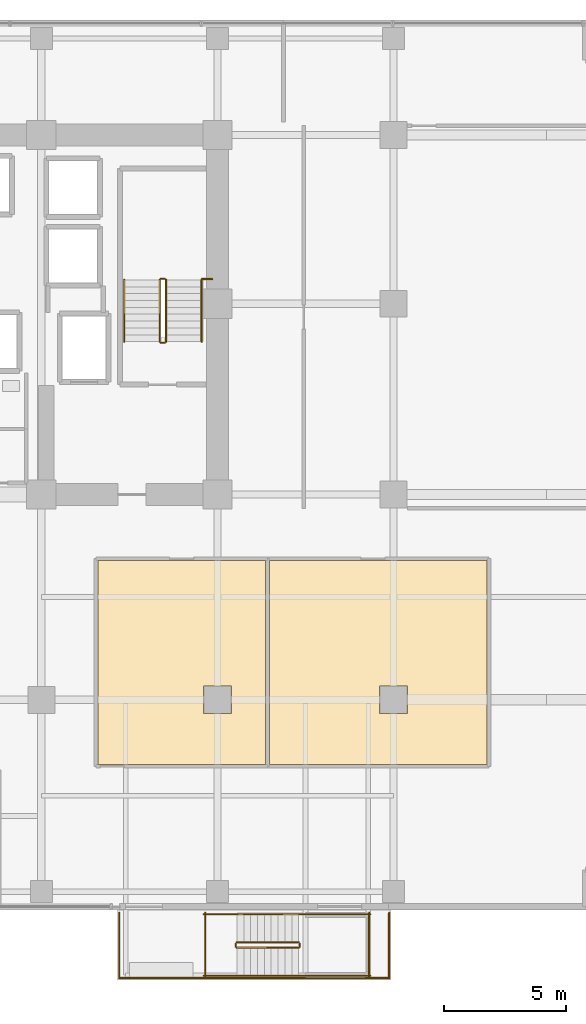
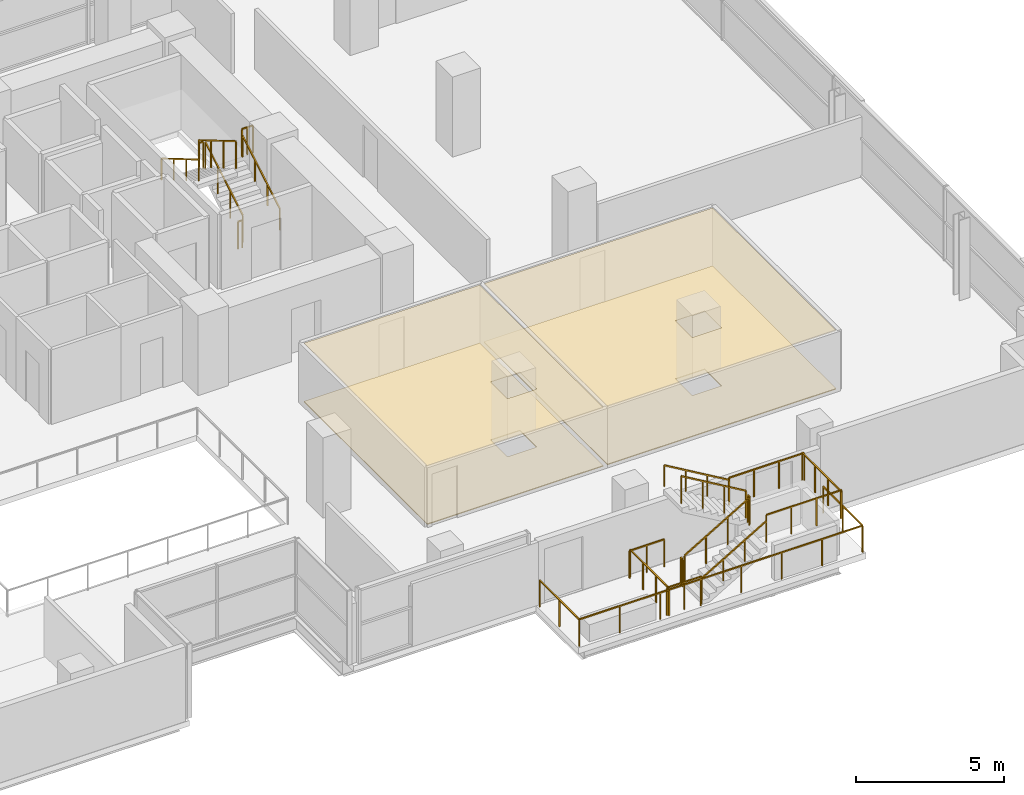
# One storey, part 30 of 31: 20 railings, 4 coverings.
"""IFC4 building model written with IfcOpenShell, lengths in metres."""

from ifc_helpers import new_model, si_unit, direction, frame, origin, origin_2d, place, context, subcontext, project, spatial, polyline, rectangle, outline, extrude, material, layer, layer_set, type_object, element, save


model = new_model("IFC4")

# Units and contexts
model_context = context("Model", 3, precision=1e-05, world=origin(), true_north=direction((0.0, 1.0)))
body_context = subcontext(model_context, "Body", "Model", "MODEL_VIEW")
ifc_project = project(units=[si_unit("LENGTHUNIT", "METRE"), si_unit("AREAUNIT", "SQUARE_METRE"), si_unit("VOLUMEUNIT", "CUBIC_METRE"), si_unit("PLANEANGLEUNIT", "RADIAN"), si_unit("MASSUNIT", "GRAM", prefix="KILO")], contexts=[model_context])

# Site, building, storey
site_placement = place(None, origin())
site = spatial("IfcSite", under=ifc_project, at=site_placement, CompositionType="ELEMENT")
building_placement = place(site_placement, origin())
building = spatial("IfcBuilding", under=site, at=building_placement, Name="Zarnakvel Exchange Tower", CompositionType="ELEMENT")
storey_placement = place(building_placement, frame((0.0, 0.0, 53.800048828125)))
storey = spatial("IfcBuildingStorey", under=building, at=storey_placement, Name="L14", CompositionType="ELEMENT", Elevation=53.800048828125)

# Coverings
ifc_material_1 = material(Name="Perforated Bronze Acoustic Metal Ceiling", Category="aluminium")
ifc_layer_1 = layer(ifc_material_1, 0.02001953125)
ifc_layer_set_1 = layer_set([ifc_layer_1], Name="Perforated Bronze Acoustic Metal Ceiling")
covering_type_1 = type_object("IfcCoveringType", Name="CLG-01", PredefinedType="CEILING", material=ifc_layer_set_1)
covering_1_placement = place(storey_placement, frame((0.0, 0.0, 2.405029296875)))
element("IfcCovering", 1, at=covering_1_placement, inside=storey, type_object=covering_type_1, Name="L14 Suspended Acoustic Ceiling (Seminar Room)", PredefinedType="CEILING", context=body_context, shape_type="SweptSolid", body=[
    extrude(outline(polyline([(9.510009765625, -3.909912109375), (16.364501953125, -3.909912109375), (16.364501953125, -12.239990234375), (9.510009765625, -12.239990234375), (9.510009765625, -3.909912109375)]), holes=[polyline([(13.830078125, -10.169921875), (14.969970703125, -10.169921875), (14.969970703125, -9.030029296875), (13.830078125, -9.030029296875), (13.830078125, -10.169921875)])]), origin(), (0.0, 0.0, 1.0), 0.02001953125),
])
covering_2_placement = place(storey_placement, frame((0.0, 0.0, 2.405029296875)))
element("IfcCovering", 2, at=covering_2_placement, inside=storey, type_object=covering_type_1, Name="L14 Suspended Acoustic Ceiling (Boardroom)", PredefinedType="CEILING", context=body_context, shape_type="SweptSolid", body=[
    extrude(outline(polyline([(16.5244140625, -3.909912109375), (25.435302734375, -3.909912109375), (25.435302734375, -12.239990234375), (16.5244140625, -12.239990234375), (16.5244140625, -3.909912109375)]), holes=[polyline([(22.169921875, -10.169921875), (22.169921875, -9.030029296875), (21.030029296875, -9.030029296875), (21.030029296875, -10.169921875), (22.169921875, -10.169921875)])]), origin(), (0.0, 0.0, 1.0), 0.02001953125),
])
ifc_material_2 = material(Name="Heavy-Duty Raised Access Floor Panel", Category="steel")
ifc_layer_2 = layer(ifc_material_2, 0.034912109375)
ifc_layer_set_2 = layer_set([ifc_layer_2], Name="Heavy-Duty Raised Access Floor Panel")
covering_type_2 = type_object("IfcCoveringType", Name="FLR-02", PredefinedType="FLOORING", material=ifc_layer_set_2)
covering_3_placement = place(storey_placement, origin())
element("IfcCovering", 3, at=covering_3_placement, inside=storey, type_object=covering_type_2, Name="L14 Floor Finish (Seminar Room)", PredefinedType="FLOORING", context=body_context, shape_type="SweptSolid", body=[
    extrude(outline(polyline([(9.510009765625, -3.909912109375), (16.364501953125, -3.909912109375), (16.364501953125, -12.239990234375), (9.510009765625, -12.239990234375), (9.510009765625, -3.909912109375)]), holes=[polyline([(13.830078125, -10.169921875), (14.969970703125, -10.169921875), (14.969970703125, -9.030029296875), (13.830078125, -9.030029296875), (13.830078125, -10.169921875)])]), origin(), (0.0, 0.0, 1.0), 0.034912109375),
])
covering_4_placement = place(storey_placement, origin())
element("IfcCovering", 4, at=covering_4_placement, inside=storey, type_object=covering_type_2, Name="L14 Floor Finish (Boardroom)", PredefinedType="FLOORING", context=body_context, shape_type="SweptSolid", body=[
    extrude(outline(polyline([(16.5244140625, -3.909912109375), (25.435302734375, -3.909912109375), (25.435302734375, -12.239990234375), (16.5244140625, -12.239990234375), (16.5244140625, -3.909912109375)]), holes=[polyline([(22.169921875, -10.169921875), (22.169921875, -9.030029296875), (21.030029296875, -9.030029296875), (21.030029296875, -10.169921875), (22.169921875, -10.169921875)])]), origin(), (0.0, 0.0, 1.0), 0.034912109375),
])

# Railings
ifc_material_3 = material(Name="Architectural Bronze Anodised Aluminium", Category="aluminium")
railing_type_1 = type_object("IfcRailingType", Name="GR-02", PredefinedType="GUARDRAIL", material=ifc_material_3)
railing_1_placement = place(storey_placement, frame((10.3798828125, -18.320068359375, 0.0)))
element("IfcRailing", 5, at=railing_1_placement, inside=storey, type_object=railing_type_1, Name="L14 Spiral Sky-Terrace Perimeter Guardrail", PredefinedType="GUARDRAIL", context=body_context, shape_type="SweptSolid", body=[
    extrude(rectangle(XDim=0.048095703125, YDim=0.048095703125, at=origin_2d()), frame((0.0, 0.0, 1.09619140625), z_axis=(0.0, -1.0, 0.0), x_axis=(1.0, 0.0, 0.0)), (0.0, 0.0, 1.0), 2.659912109375),
    extrude(rectangle(XDim=0.048095703125, YDim=0.048095703125, at=origin_2d()), frame((0.0, -2.659912109375, 1.09619140625), z_axis=(1.0, 0.0, 0.0), x_axis=(0.0, 1.0, 0.0)), (0.0, 0.0, 1.0), 11.0400390625),
    extrude(rectangle(XDim=0.048095703125, YDim=0.048095703125, at=origin_2d()), frame((11.0400390625, -2.659912109375, 1.09619140625), z_axis=(0.0, 1.0, 0.0), x_axis=(-1.0, 0.0, 0.0)), (0.0, 0.0, 1.0), 2.659912109375),
    extrude(rectangle(XDim=0.0419921875, YDim=0.0419921875, at=origin_2d()), origin(), (0.0, 0.0, 1.0), 1.072021484375),
    extrude(rectangle(XDim=0.0419921875, YDim=0.0419921875, at=origin_2d()), frame((0.0, -1.330078125, 0.0)), (0.0, 0.0, 1.0), 1.072021484375),
    extrude(rectangle(XDim=0.0419921875, YDim=0.0419921875, at=origin_2d()), frame((0.0, -2.659912109375, 0.0)), (0.0, 0.0, 1.0), 1.072021484375),
    extrude(rectangle(XDim=0.0419921875, YDim=0.0419921875, at=origin_2d()), frame((1.5771484375, -2.659912109375, 0.0)), (0.0, 0.0, 1.0), 1.072021484375),
    extrude(rectangle(XDim=0.0419921875, YDim=0.0419921875, at=origin_2d()), frame((3.154296875, -2.659912109375, 0.0)), (0.0, 0.0, 1.0), 1.072021484375),
    extrude(rectangle(XDim=0.0419921875, YDim=0.0419921875, at=origin_2d()), frame((4.7314453125, -2.659912109375, 0.0)), (0.0, 0.0, 1.0), 1.072021484375),
    extrude(rectangle(XDim=0.0419921875, YDim=0.0419921875, at=origin_2d()), frame((6.30859375, -2.659912109375, 0.0)), (0.0, 0.0, 1.0), 1.072021484375),
    extrude(rectangle(XDim=0.0419921875, YDim=0.0419921875, at=origin_2d()), frame((7.8857421875, -2.659912109375, 0.0)), (0.0, 0.0, 1.0), 1.072021484375),
    extrude(rectangle(XDim=0.0419921875, YDim=0.0419921875, at=origin_2d()), frame((9.462890625, -2.659912109375, 0.0)), (0.0, 0.0, 1.0), 1.072021484375),
    extrude(rectangle(XDim=0.0419921875, YDim=0.0419921875, at=origin_2d()), frame((11.0400390625, -2.659912109375, 0.0)), (0.0, 0.0, 1.0), 1.072021484375),
    extrude(rectangle(XDim=0.0419921875, YDim=0.0419921875, at=origin_2d()), frame((11.0400390625, -1.330078125, 0.0)), (0.0, 0.0, 1.0), 1.072021484375),
    extrude(rectangle(XDim=0.0419921875, YDim=0.0419921875, at=origin_2d()), frame((11.0400390625, 0.0, 0.0)), (0.0, 0.0, 1.0), 1.072021484375),
])
ifc_material_4 = material(Name="Brushed Stainless Steel", Category="steel")
railing_type_2 = type_object("IfcRailingType", Name="HR-01", PredefinedType="HANDRAIL", material=ifc_material_4)
railing_2_placement = place(storey_placement, frame((13.75, 5.050048828125, 0.1650390625)))
element("IfcRailing", 6, at=railing_2_placement, inside=storey, type_object=railing_type_2, Name="L14 ST-02 stair handrail 1", PredefinedType="HANDRAIL", context=body_context, shape_type="SweptSolid", body=[
    extrude(rectangle(XDim=0.048095703125, YDim=0.048095703125, at=origin_2d()), frame((0.0, 0.0, 0.8759765625), z_axis=(0.0, 0.861560626758, 0.507654692109), x_axis=(-1.0, 0.0, 0.0)), (0.0, 0.0, 1.0), 2.925048828125),
    extrude(rectangle(XDim=0.0419921875, YDim=0.0419921875, at=origin_2d()), origin(), (0.0, 0.0, 1.0), 0.851806640625),
    extrude(rectangle(XDim=0.0419921875, YDim=0.0419921875, at=origin_2d()), frame((0.0, 0.840087890625, 0.494873046875)), (0.0, 0.0, 1.0), 0.851806640625),
    extrude(rectangle(XDim=0.0419921875, YDim=0.0419921875, at=origin_2d()), frame((0.0, 1.679931640625, 0.989990234375)), (0.0, 0.0, 1.0), 0.851806640625),
    extrude(rectangle(XDim=0.0419921875, YDim=0.0419921875, at=origin_2d()), frame((0.0, 2.52001953125, 1.48486328125)), (0.0, 0.0, 1.0), 0.851806640625),
])
railing_3_placement = place(storey_placement, frame((10.590087890625, 7.570068359375, 1.81494140625)))
element("IfcRailing", 7, at=railing_3_placement, inside=storey, type_object=railing_type_2, Name="L14 ST-02 stair handrail 2", PredefinedType="HANDRAIL", context=body_context, shape_type="SweptSolid", body=[
    extrude(rectangle(XDim=0.048095703125, YDim=0.048095703125, at=origin_2d()), frame((0.0, 0.0, 0.8759765625), z_axis=(0.0, -0.86152411907, 0.507716645641), x_axis=(1.0, 0.0, 0.0)), (0.0, 0.0, 1.0), 2.925048828125),
    extrude(rectangle(XDim=0.0419921875, YDim=0.0419921875, at=origin_2d()), origin(), (0.0, 0.0, 1.0), 0.851806640625),
    extrude(rectangle(XDim=0.0419921875, YDim=0.0419921875, at=origin_2d()), frame((0.0, -0.840087890625, 0.4951171875)), (0.0, 0.0, 1.0), 0.851806640625),
    extrude(rectangle(XDim=0.0419921875, YDim=0.0419921875, at=origin_2d()), frame((0.0, -1.679931640625, 0.989990234375)), (0.0, 0.0, 1.0), 0.851806640625),
    extrude(rectangle(XDim=0.0419921875, YDim=0.0419921875, at=origin_2d()), frame((0.0, -2.52001953125, 1.485107421875)), (0.0, 0.0, 1.0), 0.851806640625),
])
railing_4_placement = place(storey_placement, frame((15.199951171875, -20.889892578125, 0.1650390625)))
element("IfcRailing", 8, at=railing_4_placement, inside=storey, type_object=railing_type_2, Name="L14 ST-08 stair handrail 1", PredefinedType="HANDRAIL", context=body_context, shape_type="SweptSolid", body=[
    extrude(rectangle(XDim=0.048095703125, YDim=0.048095703125, at=origin_2d()), frame((0.0, 0.0, 0.8759765625), z_axis=(0.861560626758, 0.0, 0.507654692109), x_axis=(0.0, 1.0, 0.0)), (0.0, 0.0, 1.0), 2.925048828125),
    extrude(rectangle(XDim=0.0419921875, YDim=0.0419921875, at=origin_2d()), origin(), (0.0, 0.0, 1.0), 0.851806640625),
    extrude(rectangle(XDim=0.0419921875, YDim=0.0419921875, at=origin_2d()), frame((0.840087890625, 0.0, 0.494873046875)), (0.0, 0.0, 1.0), 0.851806640625),
    extrude(rectangle(XDim=0.0419921875, YDim=0.0419921875, at=origin_2d()), frame((1.679931640625, 0.0, 0.989990234375)), (0.0, 0.0, 1.0), 0.851806640625),
    extrude(rectangle(XDim=0.0419921875, YDim=0.0419921875, at=origin_2d()), frame((2.52001953125, 0.0, 1.48486328125)), (0.0, 0.0, 1.0), 0.851806640625),
])
railing_5_placement = place(storey_placement, frame((17.719970703125, -18.3701171875, 1.81494140625)))
element("IfcRailing", 9, at=railing_5_placement, inside=storey, type_object=railing_type_2, Name="L14 ST-08 stair handrail 2", PredefinedType="HANDRAIL", context=body_context, shape_type="SweptSolid", body=[
    extrude(rectangle(XDim=0.048095703125, YDim=0.048095703125, at=origin_2d()), frame((0.0, 0.0, 0.8759765625), z_axis=(-0.86152411907, 0.0, 0.507716645641), x_axis=(0.0, -1.0, 0.0)), (0.0, 0.0, 1.0), 2.925048828125),
    extrude(rectangle(XDim=0.0419921875, YDim=0.0419921875, at=origin_2d()), origin(), (0.0, 0.0, 1.0), 0.851806640625),
    extrude(rectangle(XDim=0.0419921875, YDim=0.0419921875, at=origin_2d()), frame((-0.840087890625, 0.0, 0.4951171875)), (0.0, 0.0, 1.0), 0.851806640625),
    extrude(rectangle(XDim=0.0419921875, YDim=0.0419921875, at=origin_2d()), frame((-1.679931640625, 0.0, 0.989990234375)), (0.0, 0.0, 1.0), 0.851806640625),
    extrude(rectangle(XDim=0.0419921875, YDim=0.0419921875, at=origin_2d()), frame((-2.52001953125, 0.0, 1.485107421875)), (0.0, 0.0, 1.0), 0.851806640625),
])
railing_type_3 = type_object("IfcRailingType", Name="SG-01", PredefinedType="GUARDRAIL", material=ifc_material_3)
railing_6_placement = place(storey_placement, frame((12.300048828125, 5.050048828125, 0.1650390625)))
element("IfcRailing", 10, at=railing_6_placement, inside=storey, type_object=railing_type_3, Name="L14 ST-02 stair guard 1", PredefinedType="GUARDRAIL", context=body_context, shape_type="SweptSolid", body=[
    extrude(rectangle(XDim=0.048095703125, YDim=0.048095703125, at=origin_2d()), frame((0.0, 0.0, 1.1259765625), z_axis=(0.0, 0.861560626758, 0.507654692109), x_axis=(-1.0, 0.0, 0.0)), (0.0, 0.0, 1.0), 2.925048828125),
    extrude(rectangle(XDim=0.0419921875, YDim=0.0419921875, at=origin_2d()), origin(), (0.0, 0.0, 1.0), 1.101806640625),
    extrude(rectangle(XDim=0.0419921875, YDim=0.0419921875, at=origin_2d()), frame((0.0, 0.840087890625, 0.494873046875)), (0.0, 0.0, 1.0), 1.101806640625),
    extrude(rectangle(XDim=0.0419921875, YDim=0.0419921875, at=origin_2d()), frame((0.0, 1.679931640625, 0.989990234375)), (0.0, 0.0, 1.0), 1.101806640625),
    extrude(rectangle(XDim=0.0419921875, YDim=0.0419921875, at=origin_2d()), frame((0.0, 2.52001953125, 1.48486328125)), (0.0, 0.0, 1.0), 1.101806640625),
])
railing_7_placement = place(storey_placement, frame((12.25, 7.6201171875, 1.64990234375)))
element("IfcRailing", 11, at=railing_7_placement, inside=storey, type_object=railing_type_3, Name="L14 ST-02 stair guard 2", PredefinedType="GUARDRAIL", context=body_context, shape_type="SweptSolid", body=[
    extrude(rectangle(XDim=0.048095703125, YDim=0.048095703125, at=origin_2d()), frame((0.0, 0.0, 1.1259765625), z_axis=(-1.0, 0.0, 0.0), x_axis=(0.0, -1.0, 0.0)), (0.0, 0.0, 1.0), 0.159912109375),
    extrude(rectangle(XDim=0.0419921875, YDim=0.0419921875, at=origin_2d()), origin(), (0.0, 0.0, 1.0), 1.101806640625),
    extrude(rectangle(XDim=0.0419921875, YDim=0.0419921875, at=origin_2d()), frame((-0.159912109375, 0.0, 0.0)), (0.0, 0.0, 1.0), 1.101806640625),
])
railing_8_placement = place(storey_placement, frame((12.0400390625, 7.570068359375, 1.81494140625)))
element("IfcRailing", 12, at=railing_8_placement, inside=storey, type_object=railing_type_3, Name="L14 ST-02 stair guard 3", PredefinedType="GUARDRAIL", context=body_context, shape_type="SweptSolid", body=[
    extrude(rectangle(XDim=0.048095703125, YDim=0.048095703125, at=origin_2d()), frame((0.0, 0.0, 1.1259765625), z_axis=(0.0, -0.86152411907, 0.507716645641), x_axis=(1.0, 0.0, 0.0)), (0.0, 0.0, 1.0), 2.925048828125),
    extrude(rectangle(XDim=0.0419921875, YDim=0.0419921875, at=origin_2d()), origin(), (0.0, 0.0, 1.0), 1.101806640625),
    extrude(rectangle(XDim=0.0419921875, YDim=0.0419921875, at=origin_2d()), frame((0.0, -0.840087890625, 0.4951171875)), (0.0, 0.0, 1.0), 1.101806640625),
    extrude(rectangle(XDim=0.0419921875, YDim=0.0419921875, at=origin_2d()), frame((0.0, -1.679931640625, 0.989990234375)), (0.0, 0.0, 1.0), 1.101806640625),
    extrude(rectangle(XDim=0.0419921875, YDim=0.0419921875, at=origin_2d()), frame((0.0, -2.52001953125, 1.485107421875)), (0.0, 0.0, 1.0), 1.101806640625),
])
railing_9_placement = place(storey_placement, frame((12.25, 5.0, 0.0)))
element("IfcRailing", 13, at=railing_9_placement, inside=storey, type_object=railing_type_3, Name="L14 ST-02 stair guard 4", PredefinedType="GUARDRAIL", context=body_context, shape_type="SweptSolid", body=[
    extrude(rectangle(XDim=0.048095703125, YDim=0.048095703125, at=origin_2d()), frame((0.0, 0.0, 1.1259765625), z_axis=(-1.0, 0.0, 0.0), x_axis=(0.0, -1.0, 0.0)), (0.0, 0.0, 1.0), 0.159912109375),
    extrude(rectangle(XDim=0.0419921875, YDim=0.0419921875, at=origin_2d()), origin(), (0.0, 0.0, 1.0), 1.101806640625),
    extrude(rectangle(XDim=0.0419921875, YDim=0.0419921875, at=origin_2d()), frame((-0.159912109375, 0.0, 0.0)), (0.0, 0.0, 1.0), 1.101806640625),
])
railing_10_placement = place(storey_placement, frame((13.75, 7.610107421875, 1.64990234375)))
element("IfcRailing", 14, at=railing_10_placement, inside=storey, type_object=railing_type_3, Name="L14 ST-02 Landing Slot Guardrail", PredefinedType="GUARDRAIL", context=body_context, shape_type="SweptSolid", body=[
    extrude(rectangle(XDim=0.048095703125, YDim=0.048095703125, at=origin_2d()), frame((0.0, 0.0, 1.1259765625), z_axis=(1.0, 0.0, 0.0), x_axis=(0.0, 1.0, 0.0)), (0.0, 0.0, 1.0), 0.429931640625),
    extrude(rectangle(XDim=0.0419921875, YDim=0.0419921875, at=origin_2d()), origin(), (0.0, 0.0, 1.0), 1.101806640625),
    extrude(rectangle(XDim=0.0419921875, YDim=0.0419921875, at=origin_2d()), frame((0.21484375, 0.0, 0.0)), (0.0, 0.0, 1.0), 1.101806640625),
    extrude(rectangle(XDim=0.0419921875, YDim=0.0419921875, at=origin_2d()), frame((0.429931640625, 0.0, 0.0)), (0.0, 0.0, 1.0), 1.101806640625),
])
railing_11_placement = place(storey_placement, frame((15.199951171875, -19.739990234375, 0.1650390625)))
element("IfcRailing", 15, at=railing_11_placement, inside=storey, type_object=railing_type_3, Name="L14 ST-08 stair guard 1", PredefinedType="GUARDRAIL", context=body_context, shape_type="SweptSolid", body=[
    extrude(rectangle(XDim=0.048095703125, YDim=0.048095703125, at=origin_2d()), frame((0.0, 0.0, 1.1259765625), z_axis=(0.861560626758, 0.0, 0.507654692109), x_axis=(0.0, 1.0, 0.0)), (0.0, 0.0, 1.0), 2.925048828125),
    extrude(rectangle(XDim=0.0419921875, YDim=0.0419921875, at=origin_2d()), origin(), (0.0, 0.0, 1.0), 1.101806640625),
    extrude(rectangle(XDim=0.0419921875, YDim=0.0419921875, at=origin_2d()), frame((0.840087890625, 0.0, 0.494873046875)), (0.0, 0.0, 1.0), 1.101806640625),
    extrude(rectangle(XDim=0.0419921875, YDim=0.0419921875, at=origin_2d()), frame((1.679931640625, 0.0, 0.989990234375)), (0.0, 0.0, 1.0), 1.101806640625),
    extrude(rectangle(XDim=0.0419921875, YDim=0.0419921875, at=origin_2d()), frame((2.52001953125, 0.0, 1.48486328125)), (0.0, 0.0, 1.0), 1.101806640625),
])
railing_12_placement = place(storey_placement, frame((17.77001953125, -19.68994140625, 1.64990234375)))
element("IfcRailing", 16, at=railing_12_placement, inside=storey, type_object=railing_type_3, Name="L14 ST-08 stair guard 2", PredefinedType="GUARDRAIL", context=body_context, shape_type="SweptSolid", body=[
    extrude(rectangle(XDim=0.048095703125, YDim=0.048095703125, at=origin_2d()), frame((0.0, 0.0, 1.1259765625), z_axis=(0.0, 1.0, 0.0), x_axis=(-1.0, 0.0, 0.0)), (0.0, 0.0, 1.0), 0.119873046875),
    extrude(rectangle(XDim=0.0419921875, YDim=0.0419921875, at=origin_2d()), origin(), (0.0, 0.0, 1.0), 1.101806640625),
    extrude(rectangle(XDim=0.0419921875, YDim=0.0419921875, at=origin_2d()), frame((0.0, 0.119873046875, 0.0)), (0.0, 0.0, 1.0), 1.101806640625),
])
for number, where, name in (
    (17, (17.719970703125, -20.889892578125, 1.64990234375), "L14 ST-08 stair guard 3"),
    (18, (17.719970703125, -18.3701171875, 1.64990234375), "L14 ST-08 stair guard 4"),
):
    element("IfcRailing", number, at=place(storey_placement, frame(where)), inside=storey, type_object=railing_type_3, Name=name, PredefinedType="GUARDRAIL", context=body_context, shape_type="SweptSolid", body=[
        extrude(rectangle(XDim=0.048095703125, YDim=0.048095703125, at=origin_2d()), frame((0.0, 0.0, 1.1259765625), z_axis=(1.0, 0.0, 0.0), x_axis=(0.0, 1.0, 0.0)), (0.0, 0.0, 1.0), 2.929931640625),
        extrude(rectangle(XDim=0.0419921875, YDim=0.0419921875, at=origin_2d()), origin(), (0.0, 0.0, 1.0), 1.101806640625),
        extrude(rectangle(XDim=0.0419921875, YDim=0.0419921875, at=origin_2d()), frame((0.9765625, 0.0, 0.0)), (0.0, 0.0, 1.0), 1.101806640625),
        extrude(rectangle(XDim=0.0419921875, YDim=0.0419921875, at=origin_2d()), frame((1.953369140625, 0.0, 0.0)), (0.0, 0.0, 1.0), 1.101806640625),
        extrude(rectangle(XDim=0.0419921875, YDim=0.0419921875, at=origin_2d()), frame((2.929931640625, 0.0, 0.0)), (0.0, 0.0, 1.0), 1.101806640625),
    ])
railing_13_placement = place(storey_placement, frame((20.60009765625, -20.93994140625, 1.64990234375)))
element("IfcRailing", 19, at=railing_13_placement, inside=storey, type_object=railing_type_3, Name="L14 ST-08 stair guard 5", PredefinedType="GUARDRAIL", context=body_context, shape_type="SweptSolid", body=[
    extrude(rectangle(XDim=0.048095703125, YDim=0.048095703125, at=origin_2d()), frame((0.0, 0.0, 1.1259765625), z_axis=(0.0, 1.0, 0.0), x_axis=(-1.0, 0.0, 0.0)), (0.0, 0.0, 1.0), 2.619873046875),
    extrude(rectangle(XDim=0.0419921875, YDim=0.0419921875, at=origin_2d()), origin(), (0.0, 0.0, 1.0), 1.101806640625),
    extrude(rectangle(XDim=0.0419921875, YDim=0.0419921875, at=origin_2d()), frame((0.0, 0.873291015625, 0.0)), (0.0, 0.0, 1.0), 1.101806640625),
    extrude(rectangle(XDim=0.0419921875, YDim=0.0419921875, at=origin_2d()), frame((0.0, 1.74658203125, 0.0)), (0.0, 0.0, 1.0), 1.101806640625),
    extrude(rectangle(XDim=0.0419921875, YDim=0.0419921875, at=origin_2d()), frame((0.0, 2.619873046875, 0.0)), (0.0, 0.0, 1.0), 1.101806640625),
])
railing_14_placement = place(storey_placement, frame((17.719970703125, -19.52001953125, 1.81494140625)))
element("IfcRailing", 20, at=railing_14_placement, inside=storey, type_object=railing_type_3, Name="L14 ST-08 stair guard 6", PredefinedType="GUARDRAIL", context=body_context, shape_type="SweptSolid", body=[
    extrude(rectangle(XDim=0.048095703125, YDim=0.048095703125, at=origin_2d()), frame((0.0, 0.0, 1.1259765625), z_axis=(-0.86152411907, 0.0, 0.507716645641), x_axis=(0.0, -1.0, 0.0)), (0.0, 0.0, 1.0), 2.925048828125),
    extrude(rectangle(XDim=0.0419921875, YDim=0.0419921875, at=origin_2d()), origin(), (0.0, 0.0, 1.0), 1.101806640625),
    extrude(rectangle(XDim=0.0419921875, YDim=0.0419921875, at=origin_2d()), frame((-0.840087890625, 0.0, 0.4951171875)), (0.0, 0.0, 1.0), 1.101806640625),
    extrude(rectangle(XDim=0.0419921875, YDim=0.0419921875, at=origin_2d()), frame((-1.679931640625, 0.0, 0.989990234375)), (0.0, 0.0, 1.0), 1.101806640625),
    extrude(rectangle(XDim=0.0419921875, YDim=0.0419921875, at=origin_2d()), frame((-2.52001953125, 0.0, 1.485107421875)), (0.0, 0.0, 1.0), 1.101806640625),
])
railing_15_placement = place(storey_placement, frame((15.14990234375, -19.68994140625, 0.0)))
element("IfcRailing", 21, at=railing_15_placement, inside=storey, type_object=railing_type_3, Name="L14 ST-08 stair guard 7", PredefinedType="GUARDRAIL", context=body_context, shape_type="SweptSolid", body=[
    extrude(rectangle(XDim=0.048095703125, YDim=0.048095703125, at=origin_2d()), frame((0.0, 0.0, 1.1259765625), z_axis=(0.0, 1.0, 0.0), x_axis=(-1.0, 0.0, 0.0)), (0.0, 0.0, 1.0), 0.119873046875),
    extrude(rectangle(XDim=0.0419921875, YDim=0.0419921875, at=origin_2d()), origin(), (0.0, 0.0, 1.0), 1.101806640625),
    extrude(rectangle(XDim=0.0419921875, YDim=0.0419921875, at=origin_2d()), frame((0.0, 0.119873046875, 0.0)), (0.0, 0.0, 1.0), 1.101806640625),
])
for number, where, name in (
    (22, (13.85009765625, -20.889892578125, 0.0), "L14 ST-08 stair guard 8"),
    (23, (13.85009765625, -18.3701171875, 0.0), "L14 ST-08 stair guard 9"),
):
    element("IfcRailing", number, at=place(storey_placement, frame(where)), inside=storey, type_object=railing_type_3, Name=name, PredefinedType="GUARDRAIL", context=body_context, shape_type="SweptSolid", body=[
        extrude(rectangle(XDim=0.048095703125, YDim=0.048095703125, at=origin_2d()), frame((0.0, 0.0, 1.1259765625), z_axis=(1.0, 0.0, 0.0), x_axis=(0.0, 1.0, 0.0)), (0.0, 0.0, 1.0), 1.349853515625),
        extrude(rectangle(XDim=0.0419921875, YDim=0.0419921875, at=origin_2d()), origin(), (0.0, 0.0, 1.0), 1.101806640625),
        extrude(rectangle(XDim=0.0419921875, YDim=0.0419921875, at=origin_2d()), frame((0.6748046875, 0.0, 0.0)), (0.0, 0.0, 1.0), 1.101806640625),
        extrude(rectangle(XDim=0.0419921875, YDim=0.0419921875, at=origin_2d()), frame((1.349853515625, 0.0, 0.0)), (0.0, 0.0, 1.0), 1.101806640625),
    ])
railing_16_placement = place(storey_placement, frame((13.89990234375, -20.93994140625, 0.0)))
element("IfcRailing", 24, at=railing_16_placement, inside=storey, type_object=railing_type_3, Name="L14 ST-08 stair guard 10", PredefinedType="GUARDRAIL", context=body_context, shape_type="SweptSolid", body=[
    extrude(rectangle(XDim=0.048095703125, YDim=0.048095703125, at=origin_2d()), frame((0.0, 0.0, 1.1259765625), z_axis=(0.0, 1.0, 0.0), x_axis=(-1.0, 0.0, 0.0)), (0.0, 0.0, 1.0), 2.619873046875),
    extrude(rectangle(XDim=0.0419921875, YDim=0.0419921875, at=origin_2d()), origin(), (0.0, 0.0, 1.0), 1.101806640625),
    extrude(rectangle(XDim=0.0419921875, YDim=0.0419921875, at=origin_2d()), frame((0.0, 0.873291015625, 0.0)), (0.0, 0.0, 1.0), 1.101806640625),
    extrude(rectangle(XDim=0.0419921875, YDim=0.0419921875, at=origin_2d()), frame((0.0, 1.74658203125, 0.0)), (0.0, 0.0, 1.0), 1.101806640625),
    extrude(rectangle(XDim=0.0419921875, YDim=0.0419921875, at=origin_2d()), frame((0.0, 2.619873046875, 0.0)), (0.0, 0.0, 1.0), 1.101806640625),
])

save(model, "model.ifc")
